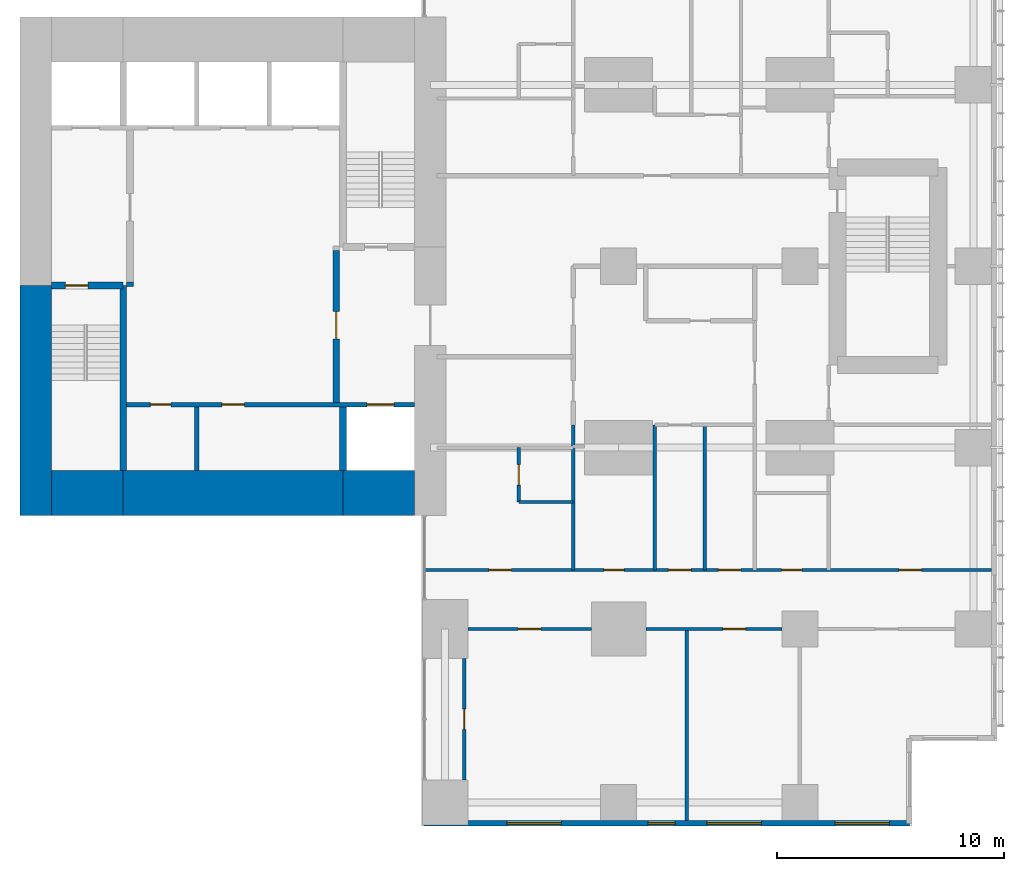
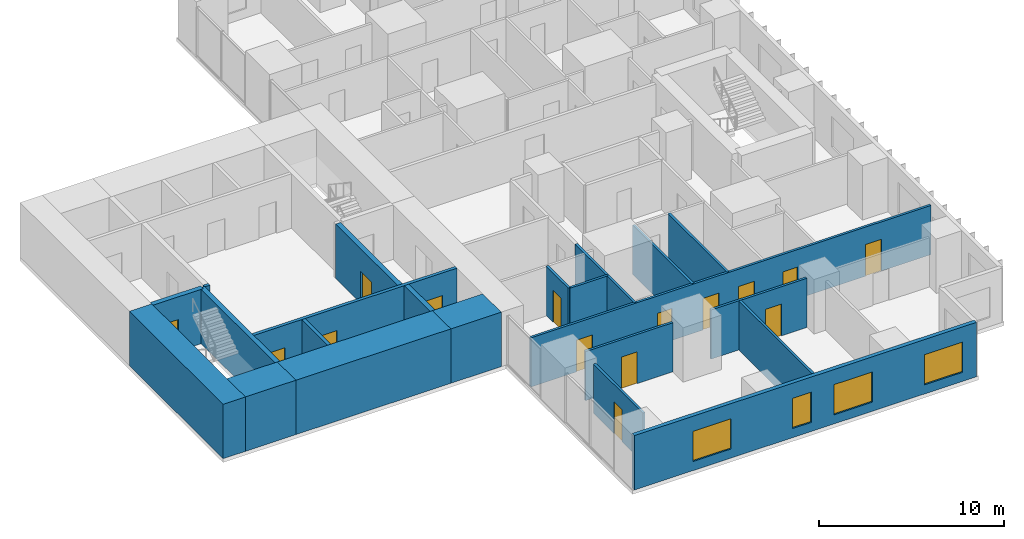
# One storey, part 7 of 12: 22 walls, 15 doors, 4 windows, 19 openings.
"""IFC4 building model written with IfcOpenShell, lengths in metres."""

from ifc_helpers import new_model, si_unit, direction, frame, frame_2d, origin, place, context, subcontext, project, spatial, rectangle, extrude, material, layer, layer_set, type_object, element, fill, save


model = new_model("IFC4")

# Units and contexts
model_context = context("Model", 3, precision=1e-05, world=origin(), true_north=direction((0.0, 1.0)))
body_context = subcontext(model_context, "Body", "Model", "MODEL_VIEW")
ifc_project = project(units=[si_unit("LENGTHUNIT", "METRE"), si_unit("AREAUNIT", "SQUARE_METRE"), si_unit("VOLUMEUNIT", "CUBIC_METRE"), si_unit("PLANEANGLEUNIT", "RADIAN"), si_unit("MASSUNIT", "GRAM", prefix="KILO")], contexts=[model_context])

# Site, building, storey
site_placement = place(None, origin())
site = spatial("IfcSite", under=ifc_project, at=site_placement, CompositionType="ELEMENT")
building_placement = place(site_placement, origin())
building = spatial("IfcBuilding", under=site, at=building_placement, Name="Cleftline Residences", CompositionType="ELEMENT")
storey_placement = place(building_placement, frame((0.0, 0.0, 273.60009765625)))
storey = spatial("IfcBuildingStorey", under=building, at=storey_placement, Name="L72", CompositionType="ELEMENT", Elevation=273.60009765625)

# Walls
ifc_material_1 = material(Name="Concrete B70", Category="concrete")
ifc_layer_1 = layer(ifc_material_1, 1.39990234375)
ifc_layer_set_1 = layer_set([ifc_layer_1], Name="CORE WALL 1400")
wall_type_1 = type_object("IfcWallType", Name="CORE WALL 1400", PredefinedType="SHEAR", material=ifc_layer_set_1)
wall_1_placement = place(storey_placement, frame((24.300048828125, 13.0, 0.0), z_axis=(0.0, 0.0, 1.0), x_axis=(0.0, 1.0, 0.0)))
element("IfcWall", 1, at=wall_1_placement, inside=storey, type_object=wall_type_1, Name="Core wall W0", PredefinedType="SHEAR", context=body_context, shape_type="SweptSolid", body=[
    extrude(rectangle(XDim=10.14990234375, YDim=1.39990234375, at=frame_2d((5.074951171875, 0.0))), origin(), (0.0, 0.0, 1.0), 3.599853515625),
])
ifc_material_2 = material(Name="Concrete B70", Category="concrete")
ifc_layer_2 = layer(ifc_material_2, 2.0)
ifc_layer_set_2 = layer_set([ifc_layer_2], Name="CORE WALL 2000")
wall_type_2 = type_object("IfcWallType", Name="CORE WALL 2000", PredefinedType="SHEAR", material=ifc_layer_set_2)
wall_2_placement = place(storey_placement, frame((25.0, 14.0, 0.0), z_axis=(0.0, 0.0, 1.0), x_axis=(1.0, 0.0, 0.0)))
element("IfcWall", 2, at=wall_2_placement, inside=storey, type_object=wall_type_2, Name="Core wall S1", PredefinedType="SHEAR", context=body_context, shape_type="SweptSolid", body=[
    extrude(rectangle(XDim=3.14990234375, YDim=2.0, at=frame_2d((1.574951171875, 0.0))), origin(), (0.0, 0.0, 1.0), 3.599853515625),
])
wall_3_placement = place(storey_placement, frame((28.14990234375, 14.0, 0.0), z_axis=(0.0, 0.0, 1.0), x_axis=(1.0, 0.0, 0.0)))
element("IfcWall", 3, at=wall_3_placement, inside=storey, type_object=wall_type_2, Name="Core wall S2", PredefinedType="SHEAR", context=body_context, shape_type="SweptSolid", body=[
    extrude(rectangle(XDim=9.7001953125, YDim=2.0, at=frame_2d((4.85009765625, 0.0))), origin(), (0.0, 0.0, 1.0), 3.599853515625),
])
wall_4_placement = place(storey_placement, frame((37.85009765625, 14.0, 0.0), z_axis=(0.0, 0.0, 1.0), x_axis=(1.0, 0.0, 0.0)))
element("IfcWall", 4, at=wall_4_placement, inside=storey, type_object=wall_type_2, Name="Core wall S3", PredefinedType="SHEAR", context=body_context, shape_type="SweptSolid", body=[
    extrude(rectangle(XDim=3.14990234375, YDim=2.0, at=frame_2d((1.574951171875, 0.0))), origin(), (0.0, 0.0, 1.0), 3.599853515625),
])
ifc_material_3 = material(Name="Concrete B70", Category="concrete")
ifc_layer_3 = layer(ifc_material_3, 0.300048828125)
ifc_layer_set_3 = layer_set([ifc_layer_3], Name="CORE WALL 300")
wall_type_3 = type_object("IfcWallType", Name="CORE WALL 300", PredefinedType="SHEAR", material=ifc_layer_set_3)
wall_5_placement = place(storey_placement, frame((28.14990234375, 15.0, 0.0), z_axis=(0.0, 0.0, 1.0), x_axis=(0.0, 1.0, 0.0)))
element("IfcWall", 5, at=wall_5_placement, inside=storey, type_object=wall_type_3, Name="Core wall SA-E", PredefinedType="SHEAR", context=body_context, shape_type="SweptSolid", body=[
    extrude(rectangle(XDim=8.14990234375, YDim=0.300048828125, at=frame_2d((4.074951171875, 0.0))), origin(), (0.0, 0.0, 1.0), 3.599853515625),
])

# Wall, opening, door
wall_6_placement = place(storey_placement, frame((25.0, 23.14990234375, 0.0), z_axis=(0.0, 0.0, 1.0), x_axis=(1.0, 0.0, 0.0)))
wall_6 = element("IfcWall", 6, at=wall_6_placement, inside=storey, type_object=wall_type_3, Name="Core wall SA-N", PredefinedType="SHEAR", context=body_context, shape_type="SweptSolid", body=[
    extrude(rectangle(XDim=3.14990234375, YDim=0.300048828125, at=frame_2d((1.574951171875, 0.0))), origin(), (0.0, 0.0, 1.0), 3.599853515625),
])
opening_1_placement = place(wall_6_placement, frame((0.60009765625, 0.0, 0.0)))
opening_1 = element("IfcOpeningElement", 7, at=opening_1_placement, cuts=wall_6, Name="Opening D5", PredefinedType="OPENING", context=body_context, shape_type="SweptSolid", body=[
    extrude(rectangle(XDim=1.0, YDim=2.10009765625, at=frame_2d((0.5, 1.050048828125))), frame((0.0, 0.159912109375, 0.0), z_axis=(0.0, -1.0, 0.0), x_axis=(1.0, 0.0, 0.0)), (0.0, 0.0, 1.0), 0.320068359375),
])
ifc_material_4 = material(Name="Steel", Category="steel")
door_type_1 = type_object("IfcDoorType", Name="STAIR DOOR 1000X2100", OperationType="SINGLE_SWING_LEFT", PredefinedType="DOOR", material=ifc_material_4)
door_1_placement = place(opening_1_placement, origin())
door_1 = element("IfcDoor", 8, at=door_1_placement, inside=storey, type_object=door_type_1, Name="Stair A door", OperationType="SINGLE_SWING_RIGHT", OverallHeight=2.10009765625, OverallWidth=1.0, PredefinedType="DOOR", context=body_context, shape_type="SweptSolid", body=[
    extrude(rectangle(XDim=1.0, YDim=2.10009765625, at=frame_2d((0.5, 1.050048828125))), frame((0.0, 0.02490234375, 0.0), z_axis=(0.0, -1.0, 0.0), x_axis=(1.0, 0.0, 0.0)), (0.0, 0.0, 1.0), 0.050048828125),
])
fill(opening_1, door_1)

# Wall
wall_7_placement = place(storey_placement, frame((37.85009765625, 15.0, 0.0), z_axis=(0.0, 0.0, 1.0), x_axis=(0.0, 1.0, 0.0)))
element("IfcWall", 9, at=wall_7_placement, inside=storey, type_object=wall_type_3, Name="Lift shaft wall", PredefinedType="SHEAR", context=body_context, shape_type="SweptSolid", body=[
    extrude(rectangle(XDim=2.800048828125, YDim=0.300048828125, at=frame_2d((1.39990234375, 0.0))), origin(), (0.0, 0.0, 1.0), 3.599853515625),
])

# Wall, openings, windows
ifc_material_5 = material(Name="Rendered reinforced concrete blockwork", Category="masonry")
ifc_layer_4 = layer(ifc_material_5, 0.25)
ifc_layer_set_4 = layer_set([ifc_layer_4], Name="EXTERNAL WALL 250")
wall_type_4 = type_object("IfcWallType", Name="EXTERNAL WALL 250", PredefinedType="SOLIDWALL", material=ifc_layer_set_4)
wall_8_placement = place(storey_placement, frame((41.425048828125, -0.574951171875, 0.0), z_axis=(0.0, 0.0, 1.0), x_axis=(1.0, 0.0, 0.0)))
wall_8 = element("IfcWall", 10, at=wall_8_placement, inside=storey, type_object=wall_type_4, Name="External wall", PredefinedType="SOLIDWALL", context=body_context, shape_type="SweptSolid", body=[
    extrude(rectangle(XDim=21.39990234375, YDim=0.25, at=frame_2d((10.699951171875, 0.0))), origin(), (0.0, 0.0, 1.0), 3.599853515625),
])
opening_2_placement = place(wall_8_placement, frame((3.64990234375, 0.0, 0.60009765625)))
opening_2 = element("IfcOpeningElement", 11, at=opening_2_placement, cuts=wall_8, Name="Opening W6", PredefinedType="OPENING", context=body_context, shape_type="SweptSolid", body=[
    extrude(rectangle(XDim=2.39990234375, YDim=2.0, at=frame_2d((1.199951171875, 1.0))), frame((0.0, 0.135009765625, 0.0), z_axis=(0.0, -1.0, 0.0), x_axis=(1.0, 0.0, 0.0)), (0.0, 0.0, 1.0), 0.27001953125),
])
opening_3_placement = place(wall_8_placement, frame((9.875, 0.0, 0.60009765625)))
opening_3 = element("IfcOpeningElement", 12, at=opening_3_placement, cuts=wall_8, Name="Opening W8", PredefinedType="OPENING", context=body_context, shape_type="SweptSolid", body=[
    extrude(rectangle(XDim=1.199951171875, YDim=2.0, at=frame_2d((0.60009765625, 1.0))), frame((0.0, 0.135009765625, 0.0), z_axis=(0.0, -1.0, 0.0), x_axis=(1.0, 0.0, 0.0)), (0.0, 0.0, 1.0), 0.27001953125),
])
opening_4_placement = place(wall_8_placement, frame((12.47509765625, 0.0, 0.60009765625)))
opening_4 = element("IfcOpeningElement", 13, at=opening_4_placement, cuts=wall_8, Name="Opening W6", PredefinedType="OPENING", context=body_context, shape_type="SweptSolid", body=[
    extrude(rectangle(XDim=2.39990234375, YDim=2.0, at=frame_2d((1.199951171875, 1.0))), frame((0.0, 0.135009765625, 0.0), z_axis=(0.0, -1.0, 0.0), x_axis=(1.0, 0.0, 0.0)), (0.0, 0.0, 1.0), 0.27001953125),
])
opening_5_placement = place(wall_8_placement, frame((18.125, 0.0, 0.60009765625)))
opening_5 = element("IfcOpeningElement", 14, at=opening_5_placement, cuts=wall_8, Name="Opening W6", PredefinedType="OPENING", context=body_context, shape_type="SweptSolid", body=[
    extrude(rectangle(XDim=2.39990234375, YDim=2.0, at=frame_2d((1.199951171875, 1.0))), frame((0.0, 0.135009765625, 0.0), z_axis=(0.0, -1.0, 0.0), x_axis=(1.0, 0.0, 0.0)), (0.0, 0.0, 1.0), 0.27001953125),
])
ifc_material_6 = material(Name="Aluminium frame, clear double glazing", Category="aluminium")
window_type_1 = type_object("IfcWindowType", Name="WINDOW 1200X2000", PartitioningType="DOUBLE_PANEL_VERTICAL", PredefinedType="WINDOW", material=ifc_material_6)
window_1_placement = place(opening_3_placement, origin())
window_1 = element("IfcWindow", 15, at=window_1_placement, inside=storey, type_object=window_type_1, Name="Window", OverallHeight=2.0, OverallWidth=1.199951171875, PartitioningType="SINGLE_PANEL", PredefinedType="WINDOW", context=body_context, shape_type="SweptSolid", body=[
    extrude(rectangle(XDim=1.199951171875, YDim=2.0, at=frame_2d((0.60009765625, 1.0))), frame((0.0, 0.030029296875, 0.0), z_axis=(0.0, -1.0, 0.0), x_axis=(1.0, 0.0, 0.0)), (0.0, 0.0, 1.0), 0.06005859375),
])
fill(opening_3, window_1)
ifc_material_7 = material(Name="Aluminium frame, clear double glazing", Category="aluminium")
window_type_2 = type_object("IfcWindowType", Name="WINDOW 2400X2000", PartitioningType="DOUBLE_PANEL_VERTICAL", PredefinedType="WINDOW", material=ifc_material_7)
window_2_placement = place(opening_2_placement, origin())
window_2 = element("IfcWindow", 16, at=window_2_placement, inside=storey, type_object=window_type_2, Name="Window", OverallHeight=2.0, OverallWidth=2.39990234375, PartitioningType="SINGLE_PANEL", PredefinedType="WINDOW", context=body_context, shape_type="SweptSolid", body=[
    extrude(rectangle(XDim=2.39990234375, YDim=2.0, at=frame_2d((1.199951171875, 1.0))), frame((0.0, 0.030029296875, 0.0), z_axis=(0.0, -1.0, 0.0), x_axis=(1.0, 0.0, 0.0)), (0.0, 0.0, 1.0), 0.06005859375),
])
fill(opening_2, window_2)
window_3_placement = place(opening_4_placement, origin())
window_3 = element("IfcWindow", 17, at=window_3_placement, inside=storey, type_object=window_type_2, Name="Window", OverallHeight=2.0, OverallWidth=2.39990234375, PartitioningType="SINGLE_PANEL", PredefinedType="WINDOW", context=body_context, shape_type="SweptSolid", body=[
    extrude(rectangle(XDim=2.39990234375, YDim=2.0, at=frame_2d((1.199951171875, 1.0))), frame((0.0, 0.030029296875, 0.0), z_axis=(0.0, -1.0, 0.0), x_axis=(1.0, 0.0, 0.0)), (0.0, 0.0, 1.0), 0.06005859375),
])
fill(opening_4, window_3)
window_4_placement = place(opening_5_placement, origin())
window_4 = element("IfcWindow", 18, at=window_4_placement, inside=storey, type_object=window_type_2, Name="Window", OverallHeight=2.0, OverallWidth=2.39990234375, PartitioningType="SINGLE_PANEL", PredefinedType="WINDOW", context=body_context, shape_type="SweptSolid", body=[
    extrude(rectangle(XDim=2.39990234375, YDim=2.0, at=frame_2d((1.199951171875, 1.0))), frame((0.0, 0.030029296875, 0.0), z_axis=(0.0, -1.0, 0.0), x_axis=(1.0, 0.0, 0.0)), (0.0, 0.0, 1.0), 0.06005859375),
])
fill(opening_5, window_4)

# Wall
ifc_material_8 = material(Name="Concrete blockwork, fire rated", Category="masonry")
ifc_layer_5 = layer(ifc_material_8, 0.199951171875)
ifc_layer_set_5 = layer_set([ifc_layer_5], Name="FIRE WALL 200")
wall_type_5 = type_object("IfcWallType", Name="FIRE WALL 200", PredefinedType="PARTITIONING", material=ifc_layer_set_5)
wall_9_placement = place(storey_placement, frame((28.300048828125, 23.199951171875, 0.0), z_axis=(0.0, 0.0, 1.0), x_axis=(1.0, 0.0, 0.0)))
element("IfcWall", 19, at=wall_9_placement, inside=storey, type_object=wall_type_5, Name="Fire separating wall", PredefinedType="PARTITIONING", context=body_context, shape_type="SweptSolid", body=[
    extrude(rectangle(XDim=0.300048828125, YDim=0.199951171875, at=frame_2d((0.14990234375, 0.0))), origin(), (0.0, 0.0, 1.0), 3.599853515625),
])

# Wall, opening, door
ifc_material_9 = material(Name="Gypsum board on steel studs", Category="steel")
ifc_layer_6 = layer(ifc_material_9, 0.14990234375)
ifc_layer_set_6 = layer_set([ifc_layer_6], Name="PARTITION 150")
wall_type_6 = type_object("IfcWallType", Name="PARTITION 150", PredefinedType="PARTITIONING", material=ifc_layer_set_6)
wall_10_placement = place(storey_placement, frame((43.35009765625, 8.0, 0.0), z_axis=(0.0, 0.0, 1.0), x_axis=(1.0, 0.0, 0.0)))
wall_10 = element("IfcWall", 20, at=wall_10_placement, inside=storey, type_object=wall_type_6, Name="Partition", PredefinedType="PARTITIONING", context=body_context, shape_type="SweptSolid", body=[
    extrude(rectangle(XDim=5.449951171875, YDim=0.14990234375, at=frame_2d((2.72509765625, 0.0))), origin(), (0.0, 0.0, 1.0), 3.25),
])
opening_6_placement = place(wall_10_placement, frame((2.22509765625, 0.0, 0.0)))
opening_6 = element("IfcOpeningElement", 21, at=opening_6_placement, cuts=wall_10, Name="Opening D2", PredefinedType="OPENING", context=body_context, shape_type="SweptSolid", body=[
    extrude(rectangle(XDim=1.0, YDim=2.10009765625, at=frame_2d((0.5, 1.050048828125))), frame((0.0, 0.0849609375, 0.0), z_axis=(0.0, -1.0, 0.0), x_axis=(1.0, 0.0, 0.0)), (0.0, 0.0, 1.0), 0.169921875),
])
ifc_material_10 = material(Name="Timber veneer on solid core", Category="wood")
door_type_2 = type_object("IfcDoorType", Name="DOOR 1000X2100", OperationType="SINGLE_SWING_LEFT", PredefinedType="DOOR", material=ifc_material_10)
door_2_placement = place(opening_6_placement, origin())
door_2 = element("IfcDoor", 22, at=door_2_placement, inside=storey, type_object=door_type_2, Name="Door to family room", OperationType="SINGLE_SWING_LEFT", OverallHeight=2.10009765625, OverallWidth=1.0, PredefinedType="DOOR", context=body_context, shape_type="SweptSolid", body=[
    extrude(rectangle(XDim=1.0, YDim=2.10009765625, at=frame_2d((0.5, 1.050048828125))), frame((0.0, 0.02490234375, 0.0), z_axis=(0.0, -1.0, 0.0), x_axis=(1.0, 0.0, 0.0)), (0.0, 0.0, 1.0), 0.050048828125),
])
fill(opening_6, door_2)

wall_11_placement = place(storey_placement, frame((51.199951171875, 8.0, 0.0), z_axis=(0.0, 0.0, 1.0), x_axis=(1.0, 0.0, 0.0)))
wall_11 = element("IfcWall", 23, at=wall_11_placement, inside=storey, type_object=wall_type_6, Name="Partition", PredefinedType="PARTITIONING", context=body_context, shape_type="SweptSolid", body=[
    extrude(rectangle(XDim=6.0, YDim=0.14990234375, at=frame_2d((3.0, 0.0))), origin(), (0.0, 0.0, 1.0), 3.25),
])
opening_7_placement = place(wall_11_placement, frame((3.39990234375, 0.0, 0.0)))
opening_7 = element("IfcOpeningElement", 24, at=opening_7_placement, cuts=wall_11, Name="Opening D2", PredefinedType="OPENING", context=body_context, shape_type="SweptSolid", body=[
    extrude(rectangle(XDim=1.0, YDim=2.10009765625, at=frame_2d((0.5, 1.050048828125))), frame((0.0, 0.0849609375, 0.0), z_axis=(0.0, -1.0, 0.0), x_axis=(1.0, 0.0, 0.0)), (0.0, 0.0, 1.0), 0.169921875),
])
door_3_placement = place(opening_7_placement, origin())
door_3 = element("IfcDoor", 25, at=door_3_placement, inside=storey, type_object=door_type_2, Name="Door to show kitchen", OperationType="SINGLE_SWING_LEFT", OverallHeight=2.10009765625, OverallWidth=1.0, PredefinedType="DOOR", context=body_context, shape_type="SweptSolid", body=[
    extrude(rectangle(XDim=1.0, YDim=2.10009765625, at=frame_2d((0.5, 1.050048828125))), frame((0.0, 0.02490234375, 0.0), z_axis=(0.0, -1.0, 0.0), x_axis=(1.0, 0.0, 0.0)), (0.0, 0.0, 1.0), 0.050048828125),
])
fill(opening_7, door_3)

# Wall, openings, doors
wall_12_placement = place(storey_placement, frame((41.43896484375, 10.60009765625, 0.0), z_axis=(0.0, 0.0, 1.0), x_axis=(1.0, 0.0, 0.0)))
wall_12 = element("IfcWall", 26, at=wall_12_placement, inside=storey, type_object=wall_type_6, Name="Partition", PredefinedType="PARTITIONING", context=body_context, shape_type="SweptSolid", body=[
    extrude(rectangle(XDim=25.010986328125, YDim=0.14990234375, at=frame_2d((12.50537109375, 0.0))), origin(), (0.0, 0.0, 1.0), 3.25),
])
opening_8_placement = place(wall_12_placement, frame((10.760986328125, 0.0, 0.0)))
opening_8 = element("IfcOpeningElement", 27, at=opening_8_placement, cuts=wall_12, Name="Opening D2", PredefinedType="OPENING", context=body_context, shape_type="SweptSolid", body=[
    extrude(rectangle(XDim=1.0, YDim=2.10009765625, at=frame_2d((0.5, 1.050048828125))), frame((0.0, 0.0849609375, 0.0), z_axis=(0.0, -1.0, 0.0), x_axis=(1.0, 0.0, 0.0)), (0.0, 0.0, 1.0), 0.169921875),
])
opening_9_placement = place(wall_12_placement, frame((20.923583984375, 0.0, 0.0)))
opening_9 = element("IfcOpeningElement", 28, at=opening_9_placement, cuts=wall_12, Name="Opening D2", PredefinedType="OPENING", context=body_context, shape_type="SweptSolid", body=[
    extrude(rectangle(XDim=1.0, YDim=2.10009765625, at=frame_2d((0.5, 1.050048828125))), frame((0.0, 0.0849609375, 0.0), z_axis=(0.0, -1.0, 0.0), x_axis=(1.0, 0.0, 0.0)), (0.0, 0.0, 1.0), 0.169921875),
])
opening_10_placement = place(wall_12_placement, frame((15.74853515625, 0.0, 0.0)))
opening_10 = element("IfcOpeningElement", 29, at=opening_10_placement, cuts=wall_12, Name="Opening D1", PredefinedType="OPENING", context=body_context, shape_type="SweptSolid", body=[
    extrude(rectangle(XDim=0.89990234375, YDim=2.10009765625, at=frame_2d((0.449951171875, 1.050048828125))), frame((0.0, 0.0849609375, 0.0), z_axis=(0.0, -1.0, 0.0), x_axis=(1.0, 0.0, 0.0)), (0.0, 0.0, 1.0), 0.169921875),
])
opening_11_placement = place(wall_12_placement, frame((12.9609375, 0.0, 0.0)))
opening_11 = element("IfcOpeningElement", 30, at=opening_11_placement, cuts=wall_12, Name="Opening D2", PredefinedType="OPENING", context=body_context, shape_type="SweptSolid", body=[
    extrude(rectangle(XDim=1.0, YDim=2.10009765625, at=frame_2d((0.5, 1.050048828125))), frame((0.0, 0.0849609375, 0.0), z_axis=(0.0, -1.0, 0.0), x_axis=(1.0, 0.0, 0.0)), (0.0, 0.0, 1.0), 0.169921875),
])
opening_12_placement = place(wall_12_placement, frame((7.910888671875, 0.0, 0.0)))
opening_12 = element("IfcOpeningElement", 31, at=opening_12_placement, cuts=wall_12, Name="Opening D1", PredefinedType="OPENING", context=body_context, shape_type="SweptSolid", body=[
    extrude(rectangle(XDim=0.89990234375, YDim=2.10009765625, at=frame_2d((0.449951171875, 1.050048828125))), frame((0.0, 0.0849609375, 0.0), z_axis=(0.0, -1.0, 0.0), x_axis=(1.0, 0.0, 0.0)), (0.0, 0.0, 1.0), 0.169921875),
])
opening_13_placement = place(wall_12_placement, frame((2.8359375, 0.0, 0.0)))
opening_13 = element("IfcOpeningElement", 32, at=opening_13_placement, cuts=wall_12, Name="Opening D2", PredefinedType="OPENING", context=body_context, shape_type="SweptSolid", body=[
    extrude(rectangle(XDim=1.0, YDim=2.10009765625, at=frame_2d((0.5, 1.050048828125))), frame((0.0, 0.0849609375, 0.0), z_axis=(0.0, -1.0, 0.0), x_axis=(1.0, 0.0, 0.0)), (0.0, 0.0, 1.0), 0.169921875),
])
door_4_placement = place(opening_8_placement, origin())
door_4 = element("IfcDoor", 33, at=door_4_placement, inside=storey, type_object=door_type_2, Name="Door to residence hall", OperationType="SINGLE_SWING_RIGHT", OverallHeight=2.10009765625, OverallWidth=1.0, PredefinedType="DOOR", context=body_context, shape_type="SweptSolid", body=[
    extrude(rectangle(XDim=1.0, YDim=2.10009765625, at=frame_2d((0.5, 1.050048828125))), frame((0.0, 0.02490234375, 0.0), z_axis=(0.0, -1.0, 0.0), x_axis=(1.0, 0.0, 0.0)), (0.0, 0.0, 1.0), 0.050048828125),
])
fill(opening_8, door_4)
door_5_placement = place(opening_9_placement, origin())
door_5 = element("IfcDoor", 34, at=door_5_placement, inside=storey, type_object=door_type_2, Name="Door to sea-view great room", OperationType="SINGLE_SWING_LEFT", OverallHeight=2.10009765625, OverallWidth=1.0, PredefinedType="DOOR", context=body_context, shape_type="SweptSolid", body=[
    extrude(rectangle(XDim=1.0, YDim=2.10009765625, at=frame_2d((0.5, 1.050048828125))), frame((0.0, 0.02490234375, 0.0), z_axis=(0.0, -1.0, 0.0), x_axis=(1.0, 0.0, 0.0)), (0.0, 0.0, 1.0), 0.050048828125),
])
fill(opening_9, door_5)
door_6_placement = place(opening_11_placement, origin())
door_6 = element("IfcDoor", 35, at=door_6_placement, inside=storey, type_object=door_type_2, Name="Door to wet kitchen", OperationType="SINGLE_SWING_LEFT", OverallHeight=2.10009765625, OverallWidth=1.0, PredefinedType="DOOR", context=body_context, shape_type="SweptSolid", body=[
    extrude(rectangle(XDim=1.0, YDim=2.10009765625, at=frame_2d((0.5, 1.050048828125))), frame((0.0, 0.02490234375, 0.0), z_axis=(0.0, -1.0, 0.0), x_axis=(1.0, 0.0, 0.0)), (0.0, 0.0, 1.0), 0.050048828125),
])
fill(opening_11, door_6)
door_7_placement = place(opening_13_placement, origin())
door_7 = element("IfcDoor", 36, at=door_7_placement, inside=storey, type_object=door_type_2, Name="Door to staff bedroom", OperationType="SINGLE_SWING_RIGHT", OverallHeight=2.10009765625, OverallWidth=1.0, PredefinedType="DOOR", context=body_context, shape_type="SweptSolid", body=[
    extrude(rectangle(XDim=1.0, YDim=2.10009765625, at=frame_2d((0.5, 1.050048828125))), frame((0.0, 0.02490234375, 0.0), z_axis=(0.0, -1.0, 0.0), x_axis=(1.0, 0.0, 0.0)), (0.0, 0.0, 1.0), 0.050048828125),
])
fill(opening_13, door_7)
ifc_material_11 = material(Name="Timber veneer on solid core", Category="wood")
door_type_3 = type_object("IfcDoorType", Name="DOOR 900X2100", OperationType="SINGLE_SWING_LEFT", PredefinedType="DOOR", material=ifc_material_11)
door_8_placement = place(opening_10_placement, origin())
door_8 = element("IfcDoor", 37, at=door_8_placement, inside=storey, type_object=door_type_3, Name="Door to wine room", OperationType="SINGLE_SWING_LEFT", OverallHeight=2.10009765625, OverallWidth=0.89990234375, PredefinedType="DOOR", context=body_context, shape_type="SweptSolid", body=[
    extrude(rectangle(XDim=0.89990234375, YDim=2.10009765625, at=frame_2d((0.449951171875, 1.050048828125))), frame((0.0, 0.02490234375, 0.0), z_axis=(0.0, -1.0, 0.0), x_axis=(1.0, 0.0, 0.0)), (0.0, 0.0, 1.0), 0.050048828125),
])
fill(opening_10, door_8)
door_9_placement = place(opening_12_placement, origin())
door_9 = element("IfcDoor", 38, at=door_9_placement, inside=storey, type_object=door_type_3, Name="Door to pantry", OperationType="SINGLE_SWING_RIGHT", OverallHeight=2.10009765625, OverallWidth=0.89990234375, PredefinedType="DOOR", context=body_context, shape_type="SweptSolid", body=[
    extrude(rectangle(XDim=0.89990234375, YDim=2.10009765625, at=frame_2d((0.449951171875, 1.050048828125))), frame((0.0, 0.02490234375, 0.0), z_axis=(0.0, -1.0, 0.0), x_axis=(1.0, 0.0, 0.0)), (0.0, 0.0, 1.0), 0.050048828125),
])
fill(opening_12, door_9)

# Wall
wall_13_placement = place(storey_placement, frame((45.60009765625, 13.60009765625, 0.0), z_axis=(0.0, 0.0, 1.0), x_axis=(1.0, 0.0, 0.0)))
element("IfcWall", 39, at=wall_13_placement, inside=storey, type_object=wall_type_6, Name="Partition", PredefinedType="PARTITIONING", context=body_context, shape_type="SweptSolid", body=[
    extrude(rectangle(XDim=2.39990234375, YDim=0.14990234375, at=frame_2d((1.199951171875, 0.0))), origin(), (0.0, 0.0, 1.0), 3.25),
])

# Wall, opening, door
wall_14_placement = place(storey_placement, frame((43.199951171875, 1.35009765625, 0.0), z_axis=(0.0, 0.0, 1.0), x_axis=(0.0, 1.0, 0.0)))
wall_14 = element("IfcWall", 40, at=wall_14_placement, inside=storey, type_object=wall_type_6, Name="Partition", PredefinedType="PARTITIONING", context=body_context, shape_type="SweptSolid", body=[
    extrude(rectangle(XDim=5.349853515625, YDim=0.14990234375, at=frame_2d((2.6748046875, 0.0))), origin(), (0.0, 0.0, 1.0), 3.25),
])
opening_14_placement = place(wall_14_placement, frame((2.22509765625, 0.0, 0.0)))
opening_14 = element("IfcOpeningElement", 41, at=opening_14_placement, cuts=wall_14, Name="Opening D1", PredefinedType="OPENING", context=body_context, shape_type="SweptSolid", body=[
    extrude(rectangle(XDim=0.89990234375, YDim=2.10009765625, at=frame_2d((0.449951171875, 1.050048828125))), frame((0.0, 0.0849609375, 0.0), z_axis=(0.0, -1.0, 0.0), x_axis=(1.0, 0.0, 0.0)), (0.0, 0.0, 1.0), 0.169921875),
])
door_10_placement = place(opening_14_placement, origin())
door_10 = element("IfcDoor", 42, at=door_10_placement, inside=storey, type_object=door_type_3, Name="Door to store room", OperationType="SINGLE_SWING_LEFT", OverallHeight=2.10009765625, OverallWidth=0.89990234375, PredefinedType="DOOR", context=body_context, shape_type="SweptSolid", body=[
    extrude(rectangle(XDim=0.89990234375, YDim=2.10009765625, at=frame_2d((0.449951171875, 1.050048828125))), frame((0.0, 0.02490234375, 0.0), z_axis=(0.0, -1.0, 0.0), x_axis=(1.0, 0.0, 0.0)), (0.0, 0.0, 1.0), 0.050048828125),
])
fill(opening_14, door_10)

wall_15_placement = place(storey_placement, frame((45.60009765625, 13.60009765625, 0.0), z_axis=(0.0, 0.0, 1.0), x_axis=(0.0, 1.0, 0.0)))
wall_15 = element("IfcWall", 43, at=wall_15_placement, inside=storey, type_object=wall_type_6, Name="Partition", PredefinedType="PARTITIONING", context=body_context, shape_type="SweptSolid", body=[
    extrude(rectangle(XDim=2.39990234375, YDim=0.14990234375, at=frame_2d((1.199951171875, 0.0))), origin(), (0.0, 0.0, 1.0), 3.25),
])
opening_15_placement = place(wall_15_placement, frame((0.75, 0.0, 0.0)))
opening_15 = element("IfcOpeningElement", 44, at=opening_15_placement, cuts=wall_15, Name="Opening D1", PredefinedType="OPENING", context=body_context, shape_type="SweptSolid", body=[
    extrude(rectangle(XDim=0.89990234375, YDim=2.10009765625, at=frame_2d((0.449951171875, 1.050048828125))), frame((0.0, 0.0849609375, 0.0), z_axis=(0.0, -1.0, 0.0), x_axis=(1.0, 0.0, 0.0)), (0.0, 0.0, 1.0), 0.169921875),
])
door_11_placement = place(opening_15_placement, origin())
door_11 = element("IfcDoor", 45, at=door_11_placement, inside=storey, type_object=door_type_3, Name="Door to staff shower room", OperationType="SINGLE_SWING_LEFT", OverallHeight=2.10009765625, OverallWidth=0.89990234375, PredefinedType="DOOR", context=body_context, shape_type="SweptSolid", body=[
    extrude(rectangle(XDim=0.89990234375, YDim=2.10009765625, at=frame_2d((0.449951171875, 1.050048828125))), frame((0.0, 0.02490234375, 0.0), z_axis=(0.0, -1.0, 0.0), x_axis=(1.0, 0.0, 0.0)), (0.0, 0.0, 1.0), 0.050048828125),
])
fill(opening_15, door_11)

# Walls
for number, where, z_axis, x_axis, name in (
    (46, (48.0, 10.60009765625, 0.0), (0.0, 0.0, 1.0), (0.0, 1.0, 0.0), "Partition"),
    (47, (51.60009765625, 10.60009765625, 0.0), (0.0, 0.0, 1.0), (0.0, 1.0, 0.0), "Partition"),
):
    element("IfcWall", number, at=place(storey_placement, frame(where, z_axis=z_axis, x_axis=x_axis)), inside=storey, type_object=wall_type_6, Name=name, PredefinedType="PARTITIONING", context=body_context, shape_type="SweptSolid", body=[
        extrude(rectangle(XDim=6.39990234375, YDim=0.14990234375, at=frame_2d((3.199951171875, 0.0))), origin(), (0.0, 0.0, 1.0), 3.25),
    ])
wall_16_placement = place(storey_placement, frame((53.0, -0.449951171875, 0.0), z_axis=(0.0, 0.0, 1.0), x_axis=(0.0, 1.0, 0.0)))
element("IfcWall", 48, at=wall_16_placement, inside=storey, type_object=wall_type_6, Name="Partition", PredefinedType="PARTITIONING", context=body_context, shape_type="SweptSolid", body=[
    extrude(rectangle(XDim=8.449951171875, YDim=0.14990234375, at=frame_2d((4.22509765625, 0.0))), origin(), (0.0, 0.0, 1.0), 3.25),
])
wall_17_placement = place(storey_placement, frame((53.800048828125, 10.60009765625, 0.0), z_axis=(0.0, 0.0, 1.0), x_axis=(0.0, 1.0, 0.0)))
element("IfcWall", 49, at=wall_17_placement, inside=storey, type_object=wall_type_6, Name="Partition", PredefinedType="PARTITIONING", context=body_context, shape_type="SweptSolid", body=[
    extrude(rectangle(XDim=6.39990234375, YDim=0.14990234375, at=frame_2d((3.199951171875, 0.0))), origin(), (0.0, 0.0, 1.0), 3.25),
])

# Wall, openings, doors
ifc_material_12 = material(Name="Concrete blockwork, fire rated", Category="masonry")
ifc_layer_7 = layer(ifc_material_12, 0.199951171875)
ifc_layer_set_7 = layer_set([ifc_layer_7], Name="SHAFT WALL 200")
wall_type_7 = type_object("IfcWallType", Name="SHAFT WALL 200", PredefinedType="PARTITIONING", material=ifc_layer_set_7)
wall_18_placement = place(storey_placement, frame((28.300048828125, 17.89990234375, 0.0), z_axis=(0.0, 0.0, 1.0), x_axis=(1.0, 0.0, 0.0)))
wall_18 = element("IfcWall", 50, at=wall_18_placement, inside=storey, type_object=wall_type_7, Name="Core room wall", PredefinedType="PARTITIONING", context=body_context, shape_type="SweptSolid", body=[
    extrude(rectangle(XDim=12.699951171875, YDim=0.199951171875, at=frame_2d((6.35009765625, 0.0))), origin(), (0.0, 0.0, 1.0), 3.599853515625),
])
opening_16_placement = place(wall_18_placement, frame((1.050048828125, 0.0, 0.0)))
opening_16 = element("IfcOpeningElement", 51, at=opening_16_placement, cuts=wall_18, Name="Opening D1F30", PredefinedType="OPENING", context=body_context, shape_type="SweptSolid", body=[
    extrude(rectangle(XDim=0.89990234375, YDim=2.10009765625, at=frame_2d((0.449951171875, 1.050048828125))), frame((0.0, 0.10986328125, 0.0), z_axis=(0.0, -1.0, 0.0), x_axis=(1.0, 0.0, 0.0)), (0.0, 0.0, 1.0), 0.219970703125),
])
opening_17_placement = place(wall_18_placement, frame((4.199951171875, 0.0, 0.0)))
opening_17 = element("IfcOpeningElement", 52, at=opening_17_placement, cuts=wall_18, Name="Opening D2F60", PredefinedType="OPENING", context=body_context, shape_type="SweptSolid", body=[
    extrude(rectangle(XDim=1.0, YDim=2.10009765625, at=frame_2d((0.5, 1.050048828125))), frame((0.0, 0.10986328125, 0.0), z_axis=(0.0, -1.0, 0.0), x_axis=(1.0, 0.0, 0.0)), (0.0, 0.0, 1.0), 0.219970703125),
])
opening_18_placement = place(wall_18_placement, frame((10.60009765625, 0.0, 0.0)))
opening_18 = element("IfcOpeningElement", 53, at=opening_18_placement, cuts=wall_18, Name="Opening LD2", PredefinedType="OPENING", context=body_context, shape_type="SweptSolid", body=[
    extrude(rectangle(XDim=1.199951171875, YDim=2.10009765625, at=frame_2d((0.60009765625, 1.050048828125))), frame((0.0, 0.10986328125, 0.0), z_axis=(0.0, -1.0, 0.0), x_axis=(1.0, 0.0, 0.0)), (0.0, 0.0, 1.0), 0.219970703125),
])
ifc_material_13 = material(Name="Timber veneer on solid core", Category="wood")
door_type_4 = type_object("IfcDoorType", Name="DOOR 1000X2100 EI 60", OperationType="SINGLE_SWING_LEFT", PredefinedType="DOOR", material=ifc_material_13)
door_12_placement = place(opening_17_placement, origin())
door_12 = element("IfcDoor", 54, at=door_12_placement, inside=storey, type_object=door_type_4, Name="Door to electrical room", OperationType="SINGLE_SWING_RIGHT", OverallHeight=2.10009765625, OverallWidth=1.0, PredefinedType="DOOR", context=body_context, shape_type="SweptSolid", body=[
    extrude(rectangle(XDim=1.0, YDim=2.10009765625, at=frame_2d((0.5, 1.050048828125))), frame((0.0, 0.02490234375, 0.0), z_axis=(0.0, -1.0, 0.0), x_axis=(1.0, 0.0, 0.0)), (0.0, 0.0, 1.0), 0.050048828125),
])
fill(opening_17, door_12)
ifc_material_14 = material(Name="Timber veneer on solid core", Category="wood")
door_type_5 = type_object("IfcDoorType", Name="DOOR 900X2100 EI 30", OperationType="SINGLE_SWING_LEFT", PredefinedType="DOOR", material=ifc_material_14)
door_13_placement = place(opening_16_placement, origin())
door_13 = element("IfcDoor", 55, at=door_13_placement, inside=storey, type_object=door_type_5, Name="Door to cleaner's store", OperationType="SINGLE_SWING_RIGHT", OverallHeight=2.10009765625, OverallWidth=0.89990234375, PredefinedType="DOOR", context=body_context, shape_type="SweptSolid", body=[
    extrude(rectangle(XDim=0.89990234375, YDim=2.10009765625, at=frame_2d((0.449951171875, 1.050048828125))), frame((0.0, 0.02490234375, 0.0), z_axis=(0.0, -1.0, 0.0), x_axis=(1.0, 0.0, 0.0)), (0.0, 0.0, 1.0), 0.050048828125),
])
fill(opening_16, door_13)
ifc_material_15 = material(Name="Steel", Category="steel")
door_type_6 = type_object("IfcDoorType", Name="FIREFIGHTING LIFT LANDING DOOR 1200X2100", OperationType="SLIDING_TO_LEFT", PredefinedType="DOOR", material=ifc_material_15)
door_14_placement = place(opening_18_placement, origin())
door_14 = element("IfcDoor", 56, at=door_14_placement, inside=storey, type_object=door_type_6, Name="Lift FL2 landing door", OperationType="SLIDING_TO_LEFT", OverallHeight=2.10009765625, OverallWidth=1.199951171875, PredefinedType="DOOR", context=body_context, shape_type="SweptSolid", body=[
    extrude(rectangle(XDim=1.199951171875, YDim=2.10009765625, at=frame_2d((0.60009765625, 1.050048828125))), frame((0.0, 0.02490234375, 0.0), z_axis=(0.0, -1.0, 0.0), x_axis=(1.0, 0.0, 0.0)), (0.0, 0.0, 1.0), 0.050048828125),
])
fill(opening_18, door_14)

# Wall
wall_19_placement = place(storey_placement, frame((31.39990234375, 15.0, 0.0), z_axis=(0.0, 0.0, 1.0), x_axis=(0.0, 1.0, 0.0)))
element("IfcWall", 57, at=wall_19_placement, inside=storey, type_object=wall_type_7, Name="Core room wall", PredefinedType="PARTITIONING", context=body_context, shape_type="SweptSolid", body=[
    extrude(rectangle(XDim=2.800048828125, YDim=0.199951171875, at=frame_2d((1.39990234375, 0.0))), origin(), (0.0, 0.0, 1.0), 3.599853515625),
])

# Wall, opening, door
ifc_material_16 = material(Name="Concrete blockwork, fire rated", Category="masonry")
ifc_layer_8 = layer(ifc_material_16, 0.300048828125)
ifc_layer_set_8 = layer_set([ifc_layer_8], Name="STAIR LOBBY WALL 300")
wall_type_8 = type_object("IfcWallType", Name="STAIR LOBBY WALL 300", PredefinedType="PARTITIONING", material=ifc_layer_set_8)
wall_20_placement = place(storey_placement, frame((37.550048828125, 18.0, 0.0), z_axis=(0.0, 0.0, 1.0), x_axis=(0.0, 1.0, 0.0)))
wall_20 = element("IfcWall", 58, at=wall_20_placement, inside=storey, type_object=wall_type_8, Name="Stair and lobby wall FB-W", PredefinedType="PARTITIONING", context=body_context, shape_type="SweptSolid", body=[
    extrude(rectangle(XDim=6.699951171875, YDim=0.300048828125, at=frame_2d((3.35009765625, 0.0))), origin(), (0.0, 0.0, 1.0), 3.599853515625),
])
opening_19_placement = place(wall_20_placement, frame((2.800048828125, 0.0, 0.0)))
opening_19 = element("IfcOpeningElement", 59, at=opening_19_placement, cuts=wall_20, Name="Opening D6", PredefinedType="OPENING", context=body_context, shape_type="SweptSolid", body=[
    extrude(rectangle(XDim=1.199951171875, YDim=2.10009765625, at=frame_2d((0.60009765625, 1.050048828125))), frame((0.0, 0.159912109375, 0.0), z_axis=(0.0, -1.0, 0.0), x_axis=(1.0, 0.0, 0.0)), (0.0, 0.0, 1.0), 0.320068359375),
])
ifc_material_17 = material(Name="Steel", Category="steel")
door_type_7 = type_object("IfcDoorType", Name="LOBBY DOOR 1200X2100", OperationType="SINGLE_SWING_RIGHT", PredefinedType="DOOR", material=ifc_material_17)
door_15_placement = place(opening_19_placement, origin())
door_15 = element("IfcDoor", 60, at=door_15_placement, inside=storey, type_object=door_type_7, Name="Firefighting lobby B door", OperationType="SINGLE_SWING_LEFT", OverallHeight=2.10009765625, OverallWidth=1.199951171875, PredefinedType="DOOR", context=body_context, shape_type="SweptSolid", body=[
    extrude(rectangle(XDim=1.199951171875, YDim=2.10009765625, at=frame_2d((0.60009765625, 1.050048828125))), frame((0.0, 0.02490234375, 0.0), z_axis=(0.0, -1.0, 0.0), x_axis=(1.0, 0.0, 0.0)), (0.0, 0.0, 1.0), 0.050048828125),
])
fill(opening_19, door_15)

save(model, "model.ifc")
